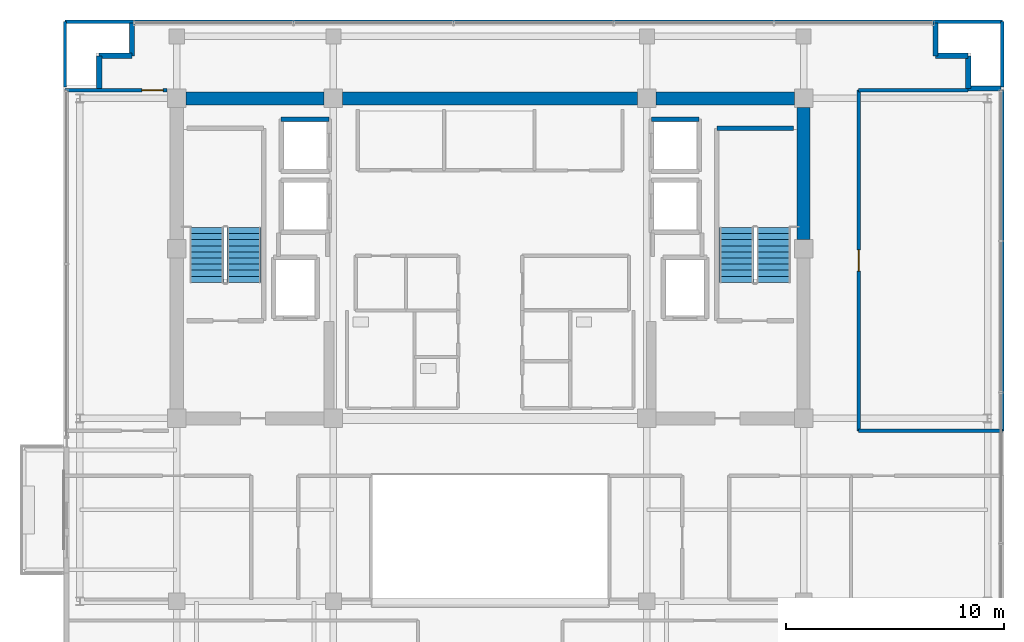
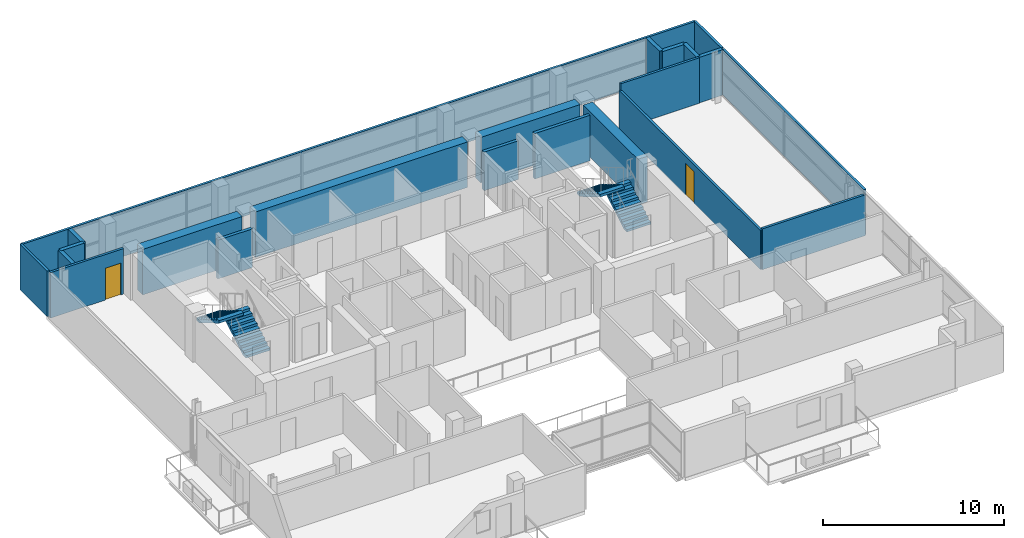
# One storey, part 18 of 21: 22 walls, 4 stair flights, 2 doors, 2 openings, 2 elements without a shape of their own.
"""IFC4 building model written with IfcOpenShell, lengths in metres."""

from ifc_helpers import new_model, si_unit, direction, frame, frame_2d, origin, place, context, subcontext, project, spatial, polyline, rectangle, outline, extrude, source, transform, mapped, material, layer, layer_set, type_object, element, fill, aggregate, save


model = new_model("IFC4")

# Units and contexts
model_context = context("Model", 3, precision=1e-05, world=origin(), true_north=direction((0.0, 1.0)))
body_context = subcontext(model_context, "Body", "Model", "MODEL_VIEW")
ifc_project = project(units=[si_unit("LENGTHUNIT", "METRE"), si_unit("AREAUNIT", "SQUARE_METRE"), si_unit("VOLUMEUNIT", "CUBIC_METRE"), si_unit("PLANEANGLEUNIT", "RADIAN"), si_unit("MASSUNIT", "GRAM", prefix="KILO")], contexts=[model_context])

# Site, building, storey
site_placement = place(None, origin())
site = spatial("IfcSite", under=ifc_project, at=site_placement, CompositionType="ELEMENT")
building_placement = place(site_placement, origin())
building = spatial("IfcBuilding", under=site, at=building_placement, Name="Zarnakvel Exchange Tower", CompositionType="ELEMENT")
storey_placement = place(building_placement, frame((0.0, 0.0, 248.5)))
storey = spatial("IfcBuildingStorey", under=building, at=storey_placement, Name="L70", CompositionType="ELEMENT", Elevation=248.5)

# Walls
ifc_material_1 = material(Name="Concrete C50/60", Category="concrete")
ifc_layer_1 = layer(ifc_material_1, 0.60009765625)
ifc_layer_set_1 = layer_set([ifc_layer_1], Name="Concrete C50/60")
wall_type_1 = type_object("IfcWallType", Name="CW-C5", PredefinedType="SHEAR", material=ifc_layer_set_1)
wall_1_placement = place(storey_placement, frame((-13.97509765625, 13.5, 0.0), z_axis=(0.0, 0.0, 1.0), x_axis=(1.0, 0.0, 0.0)))
element("IfcWall", 1, at=wall_1_placement, inside=storey, type_object=wall_type_1, Name="L70 Rear Core Shear Wall N1 (CW-C5)", PredefinedType="SHEAR", context=body_context, shape_type="SweptSolid", body=[
    extrude(rectangle(XDim=6.35009765625, YDim=0.60009765625, at=frame_2d((3.175048828125, 0.0))), origin(), (0.0, 0.0, 1.0), 3.074951171875),
])
wall_2_placement = place(storey_placement, frame((-6.77490234375, 13.5, 0.0), z_axis=(0.0, 0.0, 1.0), x_axis=(1.0, 0.0, 0.0)))
element("IfcWall", 2, at=wall_2_placement, inside=storey, type_object=wall_type_1, Name="L70 Rear Core Shear Wall N2 (CW-C5)", PredefinedType="SHEAR", context=body_context, shape_type="SweptSolid", body=[
    extrude(rectangle(XDim=13.5498046875, YDim=0.60009765625, at=frame_2d((6.77490234375, 0.0))), origin(), (0.0, 0.0, 1.0), 3.074951171875),
])
wall_3_placement = place(storey_placement, frame((7.625, 13.5, 0.0), z_axis=(0.0, 0.0, 1.0), x_axis=(1.0, 0.0, 0.0)))
element("IfcWall", 3, at=wall_3_placement, inside=storey, type_object=wall_type_1, Name="L70 Rear Core Shear Wall N3 (CW-C5)", PredefinedType="SHEAR", context=body_context, shape_type="SweptSolid", body=[
    extrude(rectangle(XDim=6.35009765625, YDim=0.60009765625, at=frame_2d((3.175048828125, 0.0))), origin(), (0.0, 0.0, 1.0), 3.074951171875),
])
wall_4_placement = place(storey_placement, frame((14.39990234375, 7.02490234375, 0.0), z_axis=(0.0, 0.0, 1.0), x_axis=(0.0, 1.0, 0.0)))
element("IfcWall", 4, at=wall_4_placement, inside=storey, type_object=wall_type_1, Name="L70 Rear Core Shear Wall E2 (CW-C5)", PredefinedType="SHEAR", context=body_context, shape_type="SweptSolid", body=[
    extrude(rectangle(XDim=6.050048828125, YDim=0.60009765625, at=frame_2d((3.02490234375, 0.0))), origin(), (0.0, 0.0, 1.0), 3.074951171875),
])
ifc_material_2 = material(Name="Precast concrete C40/50", Category="concrete")
ifc_layer_2 = layer(ifc_material_2, 0.239990234375)
ifc_layer_set_2 = layer_set([ifc_layer_2], Name="Precast concrete C40/50")
wall_type_2 = type_object("IfcWallType", Name="EW-02", PredefinedType="SOLIDWALL", material=ifc_layer_set_2)
for number, where, z_axis, x_axis, name in (
    (5, (-17.9599609375, 15.4599609375, 0.0), (0.0, 0.0, 1.0), (0.0, -1.0, 0.0), "L70 Exterior Precast Spandrel Wall EWC-L70-04 (EW-02)"),
    (6, (-16.4599609375, 15.4599609375, 0.0), (0.0, 0.0, 1.0), (-1.0, 0.0, 0.0), "L70 Exterior Precast Spandrel Wall EWC-L70-05 (EW-02)"),
    (7, (-16.4599609375, 16.9599609375, 0.0), (0.0, 0.0, 1.0), (0.0, -1.0, 0.0), "L70 Exterior Precast Spandrel Wall EWC-L70-06 (EW-02)"),
    (8, (20.4599609375, 15.4599609375, 0.0), (0.0, 0.0, 1.0), (0.0, 1.0, 0.0), "L70 Exterior Precast Spandrel Wall EWC-L70-07 (EW-02)"),
    (9, (21.9599609375, 15.4599609375, 0.0), (0.0, 0.0, 1.0), (-1.0, 0.0, 0.0), "L70 Exterior Precast Spandrel Wall EWC-L70-08 (EW-02)"),
    (10, (21.9599609375, 13.9599609375, 0.0), (0.0, 0.0, 1.0), (0.0, 1.0, 0.0), "L70 Exterior Precast Spandrel Wall EWC-L70-09 (EW-02)"),
    (11, (23.4599609375, 13.9599609375, 0.0), (0.0, 0.0, 1.0), (-1.0, 0.0, 0.0), "L70 Exterior Precast Spandrel Wall EWC-L70-10 (EW-02)"),
):
    element("IfcWall", number, at=place(storey_placement, frame(where, z_axis=z_axis, x_axis=x_axis)), inside=storey, type_object=wall_type_2, Name=name, PredefinedType="SOLIDWALL", context=body_context, shape_type="SweptSolid", body=[
        extrude(rectangle(XDim=1.5, YDim=0.239990234375, at=frame_2d((0.75, 0.0))), origin(), (0.0, 0.0, 1.0), 3.074951171875),
    ])

# Wall, opening, door
ifc_material_3 = material(Name="Fire-Rated Gypsum Stud Partition", Category="gypsum")
ifc_layer_3 = layer(ifc_material_3, 0.14990234375)
ifc_layer_set_3 = layer_set([ifc_layer_3], Name="Fire-Rated Gypsum Stud Partition")
wall_type_3 = type_object("IfcWallType", Name="PT-01", PredefinedType="PARTITIONING", material=ifc_layer_set_3)
wall_5_placement = place(storey_placement, frame((-19.530029296875, 13.8798828125, 0.0), z_axis=(0.0, 0.0, 1.0), x_axis=(1.0, 0.0, 0.0)))
wall_5 = element("IfcWall", 12, at=wall_5_placement, inside=storey, type_object=wall_type_3, Name="L70 Partition Wall PWALL-L70-072 (PT-01)", PredefinedType="PARTITIONING", context=body_context, shape_type="SweptSolid", body=[
    extrude(rectangle(XDim=4.68505859375, YDim=0.14990234375, at=frame_2d((2.342529296875, 0.0))), origin(), (0.0, 0.0, 1.0), 3.074951171875),
])
opening_1_placement = place(wall_5_placement, frame((3.52490234375, 0.0, 0.0)))
opening_1 = element("IfcOpeningElement", 13, at=opening_1_placement, cuts=wall_5, Name="Opening D-L70-26", PredefinedType="OPENING", context=body_context, shape_type="SweptSolid", body=[
    extrude(rectangle(XDim=0.97998046875, YDim=2.14990234375, at=frame_2d((0.489990234375, 1.074951171875))), frame((0.0, 0.0849609375, 0.0), z_axis=(0.0, -1.0, 0.0), x_axis=(1.0, 0.0, 0.0)), (0.0, 0.0, 1.0), 0.169921875),
])
ifc_material_4 = material(Name="Timber Acoustic Veneer", Category="wood")
door_type = type_object("IfcDoorType", Name="DT-05", OperationType="NOTDEFINED", PredefinedType="DOOR", material=ifc_material_4)
shared_shape = source(origin(), body_context, "Body", "SweptSolid", [
    extrude(rectangle(XDim=0.97998046875, YDim=2.14990234375, at=frame_2d((0.489990234375, 1.074951171875))), frame((0.0, 0.02490234375, 0.0), z_axis=(0.0, -1.0, 0.0), x_axis=(1.0, 0.0, 0.0)), (0.0, 0.0, 1.0), 0.050048828125),
])
door_1_placement = place(opening_1_placement, origin())
door_1 = element("IfcDoor", 14, at=door_1_placement, inside=storey, type_object=door_type, Name="L70 Risk Analytics Suite Door D-L70-26", OperationType="SINGLE_SWING_RIGHT", OverallHeight=2.14990234375, OverallWidth=0.97998046875, PredefinedType="DOOR", context=body_context, shape_type="MappedRepresentation", body=[
    mapped(shared_shape, transform((0.0, 0.0, 0.0), x_axis=(1.0, 0.0, 0.0), y_axis=(0.0, 1.0, 0.0), z_axis=(0.0, 0.0, 1.0), scale=1.0)),
])
fill(opening_1, door_1)

# Walls
wall_6_placement = place(storey_placement, frame((23.530029296875, -1.77001953125, 0.0), z_axis=(0.0, 0.0, 1.0), x_axis=(-1.0, 0.0, 0.0)))
element("IfcWall", 15, at=wall_6_placement, inside=storey, type_object=wall_type_3, Name="L70 Partition Wall PWALL-L70-074 (PT-01)", PredefinedType="PARTITIONING", context=body_context, shape_type="SweptSolid", body=[
    extrude(rectangle(XDim=6.60009765625, YDim=0.14990234375, at=frame_2d((3.300048828125, 0.0))), origin(), (0.0, 0.0, 1.0), 2.764892578125),
])
wall_7_placement = place(storey_placement, frame((16.929931640625, 13.8798828125, 0.0), z_axis=(0.0, 0.0, 1.0), x_axis=(1.0, 0.0, 0.0)))
element("IfcWall", 16, at=wall_7_placement, inside=storey, type_object=wall_type_3, Name="L70 Partition Wall PWALL-L70-075 (PT-01)", PredefinedType="PARTITIONING", context=body_context, shape_type="SweptSolid", body=[
    extrude(rectangle(XDim=5.030029296875, YDim=0.14990234375, at=frame_2d((2.51513671875, 0.0))), origin(), (0.0, 0.0, 1.0), 3.074951171875),
])

# Wall, opening, door
wall_8_placement = place(storey_placement, frame((16.929931640625, -1.77001953125, 0.0), z_axis=(0.0, 0.0, 1.0), x_axis=(0.0, 1.0, 0.0)))
wall_8 = element("IfcWall", 17, at=wall_8_placement, inside=storey, type_object=wall_type_3, Name="L70 Partition Wall PWALL-L70-076 (PT-01)", PredefinedType="PARTITIONING", context=body_context, shape_type="SweptSolid", body=[
    extrude(rectangle(XDim=15.64990234375, YDim=0.14990234375, at=frame_2d((7.824951171875, 0.0))), origin(), (0.0, 0.0, 1.0), 2.614990234375),
])
opening_2_placement = place(wall_8_placement, frame((7.3349609375, 0.0, 0.0)))
opening_2 = element("IfcOpeningElement", 18, at=opening_2_placement, cuts=wall_8, Name="Opening D-L70-25", PredefinedType="OPENING", context=body_context, shape_type="SweptSolid", body=[
    extrude(rectangle(XDim=0.97998046875, YDim=2.14990234375, at=frame_2d((0.489990234375, 1.074951171875))), frame((0.0, 0.0849609375, 0.0), z_axis=(0.0, -1.0, 0.0), x_axis=(1.0, 0.0, 0.0)), (0.0, 0.0, 1.0), 0.169921875),
])
door_2_placement = place(opening_2_placement, origin())
door_2 = element("IfcDoor", 19, at=door_2_placement, inside=storey, type_object=door_type, Name="L70 Staff Pantry Door D-L70-25", OperationType="SINGLE_SWING_LEFT", OverallHeight=2.14990234375, OverallWidth=0.97998046875, PredefinedType="DOOR", context=body_context, shape_type="MappedRepresentation", body=[
    mapped(shared_shape, transform((0.0, 0.0, 0.0), x_axis=(1.0, 0.0, 0.0), y_axis=(0.0, 1.0, 0.0), z_axis=(0.0, 0.0, 1.0), scale=1.0)),
])
fill(opening_2, door_2)

# Walls
wall_9_placement = place(storey_placement, frame((23.530029296875, 13.8798828125, 0.0), z_axis=(0.0, 0.0, 1.0), x_axis=(0.0, -1.0, 0.0)))
element("IfcWall", 20, at=wall_9_placement, inside=storey, type_object=wall_type_3, Name="L70 Partition Wall PWALL-L70-077 (PT-01)", PredefinedType="PARTITIONING", context=body_context, shape_type="SweptSolid", body=[
    extrude(rectangle(XDim=15.64990234375, YDim=0.14990234375, at=frame_2d((7.824951171875, 0.0))), origin(), (0.0, 0.0, 1.0), 3.074951171875),
])
wall_10_placement = place(storey_placement, frame((-19.530029296875, 17.030029296875, 0.0), z_axis=(0.0, 0.0, 1.0), x_axis=(1.0, 0.0, 0.0)))
element("IfcWall", 21, at=wall_10_placement, inside=storey, type_object=wall_type_3, Name="L70 Partition Wall PWALL-L70-078 (PT-01)", PredefinedType="PARTITIONING", context=body_context, shape_type="SweptSolid", body=[
    extrude(rectangle(XDim=43.06005859375, YDim=0.14990234375, at=frame_2d((21.530029296875, 0.0))), origin(), (0.0, 0.0, 1.0), 3.074951171875),
])
for number, where, z_axis, x_axis, name in (
    (22, (-19.530029296875, 14.030029296875, 0.0), (0.0, 0.0, 1.0), (0.0, 1.0, 0.0), "L70 Partition Wall PWALL-L70-079 (PT-01)"),
    (23, (23.530029296875, 17.030029296875, 0.0), (0.0, 0.0, 1.0), (0.0, -1.0, 0.0), "L70 Partition Wall PWALL-L70-080 (PT-01)"),
):
    element("IfcWall", number, at=place(storey_placement, frame(where, z_axis=z_axis, x_axis=x_axis)), inside=storey, type_object=wall_type_3, Name=name, PredefinedType="PARTITIONING", context=body_context, shape_type="SweptSolid", body=[
        extrude(rectangle(XDim=3.0, YDim=0.14990234375, at=frame_2d((1.5, 0.0))), origin(), (0.0, 0.0, 1.0), 3.074951171875),
    ])
ifc_material_5 = material(Name="Concrete C40/50", Category="concrete")
ifc_layer_4 = layer(ifc_material_5, 0.199951171875)
ifc_layer_set_4 = layer_set([ifc_layer_4], Name="Concrete C40/50")
wall_type_4 = type_object("IfcWallType", Name="SW-01", PredefinedType="SOLIDWALL", material=ifc_layer_set_4)
for number, where, z_axis, x_axis, name in (
    (24, (-9.60009765625, 12.550048828125, 0.0), (0.0, 0.0, 1.0), (1.0, 0.0, 0.0), "L70 PL-10 Hoistway Wall North"),
    (25, (7.39990234375, 12.550048828125, 0.0), (0.0, 0.0, 1.0), (1.0, 0.0, 0.0), "L70 PL-12 Hoistway Wall North"),
):
    element("IfcWall", number, at=place(storey_placement, frame(where, z_axis=z_axis, x_axis=x_axis)), inside=storey, type_object=wall_type_4, Name=name, PredefinedType="SOLIDWALL", context=body_context, shape_type="SweptSolid", body=[
        extrude(rectangle(XDim=2.2001953125, YDim=0.199951171875, at=frame_2d((1.10009765625, 0.0))), origin(), (0.0, 0.0, 1.0), 2.614990234375),
    ])
ifc_layer_5 = layer(ifc_material_5, 0.199951171875)
ifc_layer_set_5 = layer_set([ifc_layer_5], Name="Concrete C40/50")
wall_type_5 = type_object("IfcWallType", Name="SW-02", PredefinedType="SOLIDWALL", material=ifc_layer_set_5)
wall_11_placement = place(storey_placement, frame((10.409912109375, 12.1298828125, 0.0), z_axis=(0.0, 0.0, 1.0), x_axis=(1.0, 0.0, 0.0)))
element("IfcWall", 26, at=wall_11_placement, inside=storey, type_object=wall_type_5, Name="L70 Stairwell Core Wall PWALL-L70-005 (SW-02)", PredefinedType="SOLIDWALL", context=body_context, shape_type="SweptSolid", body=[
    extrude(rectangle(XDim=3.52001953125, YDim=0.199951171875, at=frame_2d((1.760009765625, 0.0))), origin(), (0.0, 0.0, 1.0), 3.074951171875),
])

# Stair, stair flights
stair_type = type_object("IfcStairType", Name="STR-01", PredefinedType="HALF_TURN_STAIR", material=ifc_material_5)
stair_1_placement = place(storey_placement, origin())
stair_1 = element("IfcStair", 27, at=stair_1_placement, inside=storey, type_object=stair_type, Name="L70 Protected Core Exit Stair ST-01", PredefinedType="HALF_TURN_STAIR")
stair_flight_type = type_object("IfcStairFlightType", Name="FLT-01", PredefinedType="STRAIGHT", material=ifc_material_5)
stair_flight_1_placement = place(storey_placement, frame((-11.31494140625, 5.050048828125, 0.0), z_axis=(0.0, 0.0, 1.0), x_axis=(0.0, 1.0, 0.0)))
stair_flight_1 = element("IfcStairFlight", 28, at=stair_flight_1_placement, type_object=stair_flight_type, Name="ST-01 flight 1", NumberOfRisers=10, NumberOfTreads=9, PredefinedType="STRAIGHT", RiserHeight=0.165, TreadLength=0.28, context=body_context, shape_type="SweptSolid", body=[
    extrude(outline(polyline([(0.0, 0.0), (0.0, 0.1650390625), (0.280029296875, 0.1650390625), (0.280029296875, 0.330078125), (0.56005859375, 0.330078125), (0.56005859375, 0.4951171875), (0.840087890625, 0.4951171875), (0.840087890625, 0.659912109375), (1.1201171875, 0.659912109375), (1.1201171875, 0.824951171875), (1.39990234375, 0.824951171875), (1.39990234375, 0.989990234375), (1.679931640625, 0.989990234375), (1.679931640625, 1.155029296875), (1.9599609375, 1.155029296875), (1.9599609375, 1.320068359375), (2.239990234375, 1.320068359375), (2.239990234375, 1.485107421875), (2.52001953125, 1.485107421875), (2.52001953125, 1.64990234375), (2.52001953125, 1.31103515625), (0.295166015625, 0.0), (0.0, 0.0)])), frame((0.0, 0.77490234375, 0.0), z_axis=(0.0, -1.0, 0.0), x_axis=(1.0, 0.0, 0.0)), (0.0, 0.0, 1.0), 1.550048828125),
])
stair_flight_2_placement = place(storey_placement, frame((-13.02490234375, 7.570068359375, 1.64990234375), z_axis=(0.0, 0.0, 1.0), x_axis=(0.0, -1.0, 0.0)))
stair_flight_2 = element("IfcStairFlight", 29, at=stair_flight_2_placement, type_object=stair_flight_type, Name="ST-01 flight 2", NumberOfRisers=10, NumberOfTreads=9, PredefinedType="STRAIGHT", RiserHeight=0.165, TreadLength=0.28, context=body_context, shape_type="SweptSolid", body=[
    extrude(outline(polyline([(0.0, 0.0), (0.0, 0.1650390625), (0.280029296875, 0.1650390625), (0.280029296875, 0.330078125), (0.56005859375, 0.330078125), (0.56005859375, 0.4951171875), (0.840087890625, 0.4951171875), (0.840087890625, 0.659912109375), (1.1201171875, 0.659912109375), (1.1201171875, 0.824951171875), (1.39990234375, 0.824951171875), (1.39990234375, 0.989990234375), (1.679931640625, 0.989990234375), (1.679931640625, 1.155029296875), (1.9599609375, 1.155029296875), (1.9599609375, 1.320068359375), (2.239990234375, 1.320068359375), (2.239990234375, 1.485107421875), (2.52001953125, 1.485107421875), (2.52001953125, 1.64990234375), (2.52001953125, 1.31103515625), (0.295166015625, 0.0), (0.0, 0.0)])), frame((0.0, 0.77490234375, 0.0), z_axis=(0.0, -1.0, 0.0), x_axis=(1.0, 0.0, 0.0)), (0.0, 0.0, 1.0), 1.550048828125),
])
aggregate(stair_1, [stair_flight_1, stair_flight_2])

stair_2_placement = place(storey_placement, origin())
stair_2 = element("IfcStair", 30, at=stair_2_placement, inside=storey, type_object=stair_type, Name="L70 Protected Core Exit Stair ST-02", PredefinedType="HALF_TURN_STAIR")
stair_flight_3_placement = place(storey_placement, frame((13.02490234375, 5.050048828125, 0.0), z_axis=(0.0, 0.0, 1.0), x_axis=(0.0, 1.0, 0.0)))
stair_flight_3 = element("IfcStairFlight", 31, at=stair_flight_3_placement, type_object=stair_flight_type, Name="ST-02 flight 1", NumberOfRisers=10, NumberOfTreads=9, PredefinedType="STRAIGHT", RiserHeight=0.165, TreadLength=0.28, context=body_context, shape_type="SweptSolid", body=[
    extrude(outline(polyline([(0.0, 0.0), (0.0, 0.1650390625), (0.280029296875, 0.1650390625), (0.280029296875, 0.330078125), (0.56005859375, 0.330078125), (0.56005859375, 0.4951171875), (0.840087890625, 0.4951171875), (0.840087890625, 0.659912109375), (1.1201171875, 0.659912109375), (1.1201171875, 0.824951171875), (1.39990234375, 0.824951171875), (1.39990234375, 0.989990234375), (1.679931640625, 0.989990234375), (1.679931640625, 1.155029296875), (1.9599609375, 1.155029296875), (1.9599609375, 1.320068359375), (2.239990234375, 1.320068359375), (2.239990234375, 1.485107421875), (2.52001953125, 1.485107421875), (2.52001953125, 1.64990234375), (2.52001953125, 1.31103515625), (0.295166015625, 0.0), (0.0, 0.0)])), frame((0.0, 0.77490234375, 0.0), z_axis=(0.0, -1.0, 0.0), x_axis=(1.0, 0.0, 0.0)), (0.0, 0.0, 1.0), 1.550048828125),
])
stair_flight_4_placement = place(storey_placement, frame((11.31494140625, 7.570068359375, 1.64990234375), z_axis=(0.0, 0.0, 1.0), x_axis=(0.0, -1.0, 0.0)))
stair_flight_4 = element("IfcStairFlight", 32, at=stair_flight_4_placement, type_object=stair_flight_type, Name="ST-02 flight 2", NumberOfRisers=10, NumberOfTreads=9, PredefinedType="STRAIGHT", RiserHeight=0.165, TreadLength=0.28, context=body_context, shape_type="SweptSolid", body=[
    extrude(outline(polyline([(0.0, 0.0), (0.0, 0.1650390625), (0.280029296875, 0.1650390625), (0.280029296875, 0.330078125), (0.56005859375, 0.330078125), (0.56005859375, 0.4951171875), (0.840087890625, 0.4951171875), (0.840087890625, 0.659912109375), (1.1201171875, 0.659912109375), (1.1201171875, 0.824951171875), (1.39990234375, 0.824951171875), (1.39990234375, 0.989990234375), (1.679931640625, 0.989990234375), (1.679931640625, 1.155029296875), (1.9599609375, 1.155029296875), (1.9599609375, 1.320068359375), (2.239990234375, 1.320068359375), (2.239990234375, 1.485107421875), (2.52001953125, 1.485107421875), (2.52001953125, 1.64990234375), (2.52001953125, 1.31103515625), (0.295166015625, 0.0), (0.0, 0.0)])), frame((0.0, 0.77490234375, 0.0), z_axis=(0.0, -1.0, 0.0), x_axis=(1.0, 0.0, 0.0)), (0.0, 0.0, 1.0), 1.550048828125),
])
aggregate(stair_2, [stair_flight_3, stair_flight_4])

save(model, "model.ifc")
